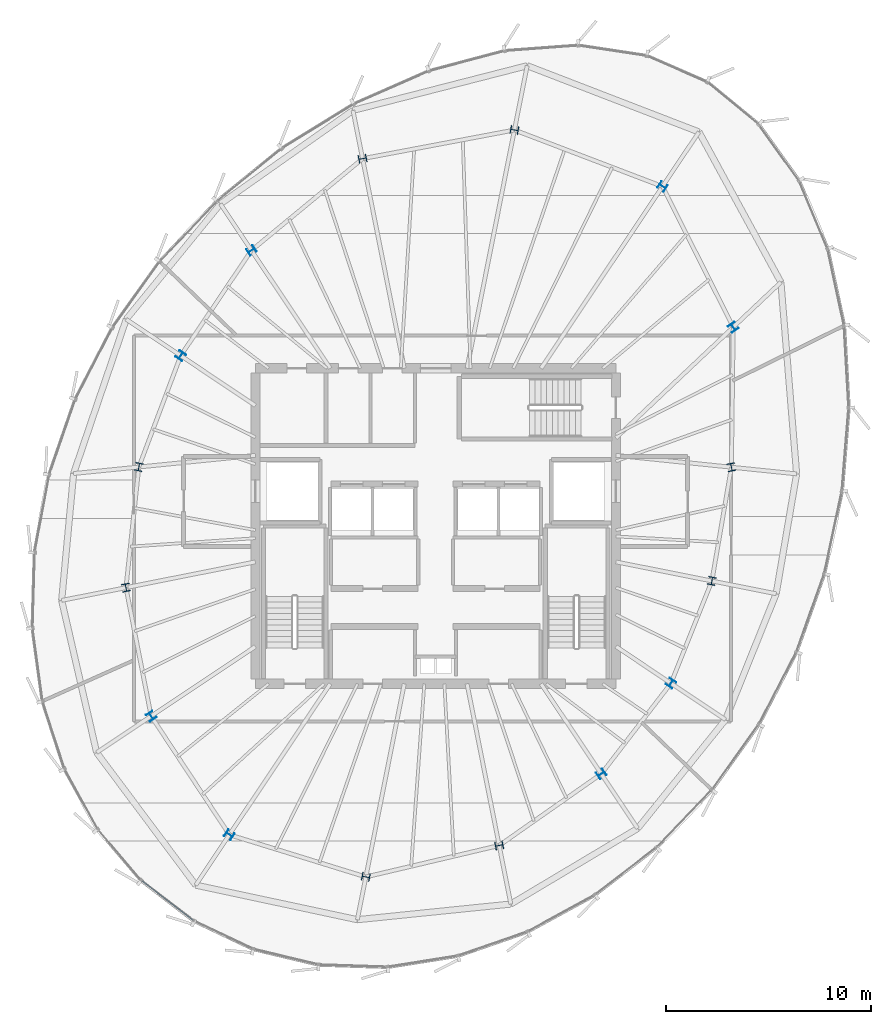
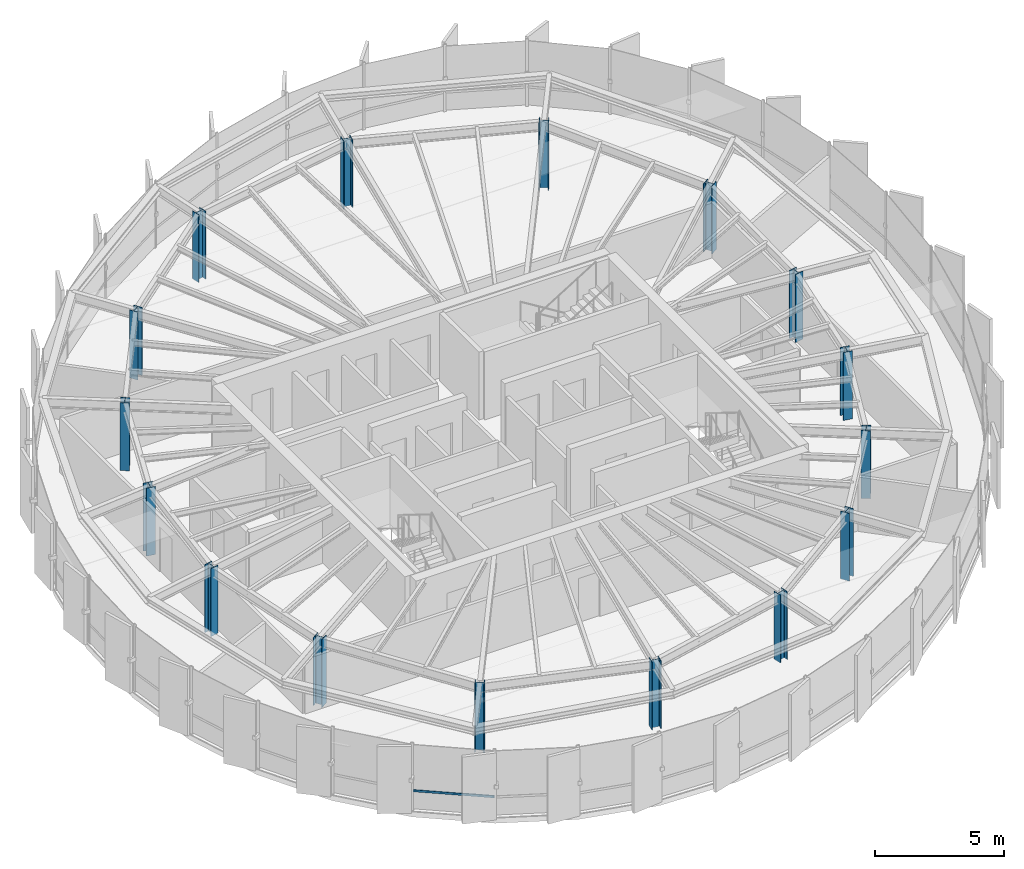
# One storey, part 1 of 31: 16 columns, 1 member, 1 element without a shape of its own.
"""IFC4 building model written with IfcOpenShell, lengths in metres."""

from ifc_helpers import new_model, si_unit, direction, frame, origin, origin_2d, place, context, subcontext, project, spatial, hollow_rectangle, i_section, extrude, source, transform, mapped, material, layer, layer_set, material_profile, profile_set, type_object, element, aggregate, save


model = new_model("IFC4")

# Units and contexts
model_context = context("Model", 3, precision=1e-05, world=origin(), true_north=direction((0.0, 1.0)))
body_context = subcontext(model_context, "Body", "Model", "MODEL_VIEW")
ifc_project = project(units=[si_unit("LENGTHUNIT", "METRE"), si_unit("AREAUNIT", "SQUARE_METRE"), si_unit("VOLUMEUNIT", "CUBIC_METRE"), si_unit("PLANEANGLEUNIT", "RADIAN"), si_unit("MASSUNIT", "GRAM", prefix="KILO"), si_unit("THERMODYNAMICTEMPERATUREUNIT", "KELVIN")], contexts=[model_context])

# Site, building, storey
site_placement = place(None, origin())
site = spatial("IfcSite", under=ifc_project, at=site_placement, CompositionType="ELEMENT")
building_placement = place(site_placement, origin())
building = spatial("IfcBuilding", under=site, at=building_placement, Name="Kethvar Cultural Tower", CompositionType="ELEMENT")
storey_placement = place(building_placement, frame((0.0, 0.0, 269.800048828125)))
storey = spatial("IfcBuildingStorey", under=building, at=storey_placement, Name="L71", CompositionType="ELEMENT", Elevation=269.800048828125)

# Columns
ifc_material_1 = material(Name="Steel S355J2", Category="steel")
ifc_material_profile_1 = material_profile(ifc_material_1, i_section(OverallWidth=0.3740234375, OverallDepth=0.383056640625, WebThickness=0.0166015625, FlangeThickness=0.026123046875, FilletRadius=0.014892578125, at=origin_2d()), Name="Steel S355J2 — HD360x300")
ifc_profile_set_1 = profile_set([ifc_material_profile_1], Name="Steel S355J2 — HD360x300")
column_type = type_object("IfcColumnType", Name="COL-HD300", PredefinedType="COLUMN", material=ifc_profile_set_1)
shared_shape_1 = source(origin(), body_context, "Body", "SweptSolid", [
    extrude(i_section(OverallWidth=0.3740234375, OverallDepth=0.383056640625, WebThickness=0.0166015625, FlangeThickness=0.026123046875, FilletRadius=0.014892578125, at=origin_2d()), origin(), (0.0, 0.0, 1.0), 3.2099609375),
])
for number, where, z_axis, x_axis, name in (
    (1, (61.237060546875, 30.671630859375, 0.0), (0.0, 0.0, 1.0), (0.980785280403, 0.195090322016, 0.0), "L71 Mega-Column MC-01"),
    (2, (61.32568359375, 37.505859375, 0.0), (0.0, 0.0, 1.0), (0.831469612303, 0.55557023302, 0.0), "L71 Mega-Column MC-02"),
    (3, (57.875244140625, 44.375, 0.0), (0.0, 0.0, 1.0), (0.55557023302, 0.831469612303, 0.0), "L71 Mega-Column MC-03"),
    (4, (50.645263671875, 47.131591796875, 0.0), (0.0, 0.0, 1.0), (0.195090322016, 0.980785280403, 0.0), "L71 Mega-Column MC-04"),
    (5, (43.23291015625, 45.732421875, 0.0), (0.0, 0.0, 1.0), (-0.195090322016, 0.980785280403, 0.0), "L71 Mega-Column MC-05"),
    (6, (37.8095703125, 41.255126953125, 0.0), (0.0, 0.0, 1.0), (-0.55557023302, 0.831469612303, 0.0), "L71 Mega-Column MC-06"),
    (7, (34.35595703125, 36.114990234375, 0.0), (0.0, 0.0, 1.0), (-0.831469612303, 0.55557023302, 0.0), "L71 Mega-Column MC-07"),
    (8, (32.3125, 30.681884765625, 0.0), (0.0, 0.0, 1.0), (-0.980785280403, 0.195090322016, 0.0), "L71 Mega-Column MC-08"),
    (9, (31.68310546875, 24.79296875, 0.0), (0.0, 0.0, 1.0), (-0.980785280403, -0.195090322016, 0.0), "L71 Mega-Column MC-09"),
    (10, (32.912841796875, 18.52099609375, 0.0), (0.0, 0.0, 1.0), (-0.831469612303, -0.55557023302, 0.0), "L71 Mega-Column MC-10"),
    (11, (36.731201171875, 12.73095703125, 0.0), (0.0, 0.0, 1.0), (-0.55557023302, -0.831469612303, 0.0), "L71 Mega-Column MC-11"),
    (12, (43.392822265625, 10.67138671875, 0.0), (0.0, 0.0, 1.0), (-0.195090322016, -0.980785280403, 0.0), "L71 Mega-Column MC-12"),
    (13, (49.901611328125, 12.206787109375, 0.0), (0.0, 0.0, 1.0), (0.195090322016, -0.980785280403, 0.0), "L71 Mega-Column MC-13"),
    (14, (54.885009765625, 15.7001953125, 0.0), (0.0, 0.0, 1.0), (0.55557023302, -0.831469612303, 0.0), "L71 Mega-Column MC-14"),
    (15, (58.287109375, 20.12451171875, 0.0), (0.0, 0.0, 1.0), (0.831469612303, -0.55557023302, 0.0), "L71 Mega-Column MC-15"),
    (16, (60.28369140625, 25.117919921875, 0.0), (0.0, 0.0, 1.0), (0.980785280403, -0.195090322016, 0.0), "L71 Mega-Column MC-16"),
):
    element("IfcColumn", number, at=place(storey_placement, frame(where, z_axis=z_axis, x_axis=x_axis)), inside=storey, type_object=column_type, Name=name, PredefinedType="COLUMN", context=body_context, shape_type="MappedRepresentation", body=[
        mapped(shared_shape_1, transform((0.0, 0.0, 0.0), scale=1.0)),
    ])

# Curtain wall, member
ifc_material_2 = material(Name="Aluminium 6063-T6", Category="aluminium")
ifc_layer = layer(ifc_material_2, 0.179931640625, Name="Aluminium 6063-T6", Category="aluminium")
ifc_layer_set = layer_set([ifc_layer], Name="Aluminium 6063-T6 (180 mm)")
curtain_wall_type = type_object("IfcCurtainWallType", Name="CW-SYS-05-Z56", PredefinedType="NOTDEFINED", material=ifc_layer_set)
curtain_wall_placement = place(storey_placement, origin())
curtain_wall = element("IfcCurtainWall", 17, at=curtain_wall_placement, inside=storey, type_object=curtain_wall_type, Name="L71 Curtain Wall Run 03", PredefinedType="NOTDEFINED")
ifc_material_profile_2 = material_profile(ifc_material_2, hollow_rectangle(XDim=0.050048828125, YDim=0.10009765625, WallThickness=0.00390625, at=origin_2d()), Name="Aluminium 6063-T6 — RHS100x50x4")
ifc_profile_set_2 = profile_set([ifc_material_profile_2], Name="Aluminium 6063-T6 — RHS100x50x4")
member_type = type_object("IfcMemberType", Name="CW-SYS-05-Z56-TRN", PredefinedType="USERDEFINED", material=ifc_profile_set_2)
shared_shape_2 = source(origin(), body_context, "Body", "SweptSolid", [
    extrude(hollow_rectangle(XDim=0.050048828125, YDim=0.10009765625, WallThickness=0.00390625, at=origin_2d()), origin(), (0.0, 0.0, 1.0), 3.170166015625),
])
member_placement = place(storey_placement, frame((32.458251953125, 10.484375, 0.949951171875), z_axis=(0.792386305289, -0.61001962525, 0.0), x_axis=(0.61001962525, 0.792386305289, 0.0)))
member = element("IfcMember", 18, at=member_placement, type_object=member_type, Name="CW-L71-R03 Transom 6", ObjectType="TRANSOM", PredefinedType="USERDEFINED", context=body_context, shape_type="MappedRepresentation", body=[
    mapped(shared_shape_2, transform((0.0, 0.0, 0.0), scale=1.0)),
])
aggregate(curtain_wall, [member])

save(model, "model.ifc")
